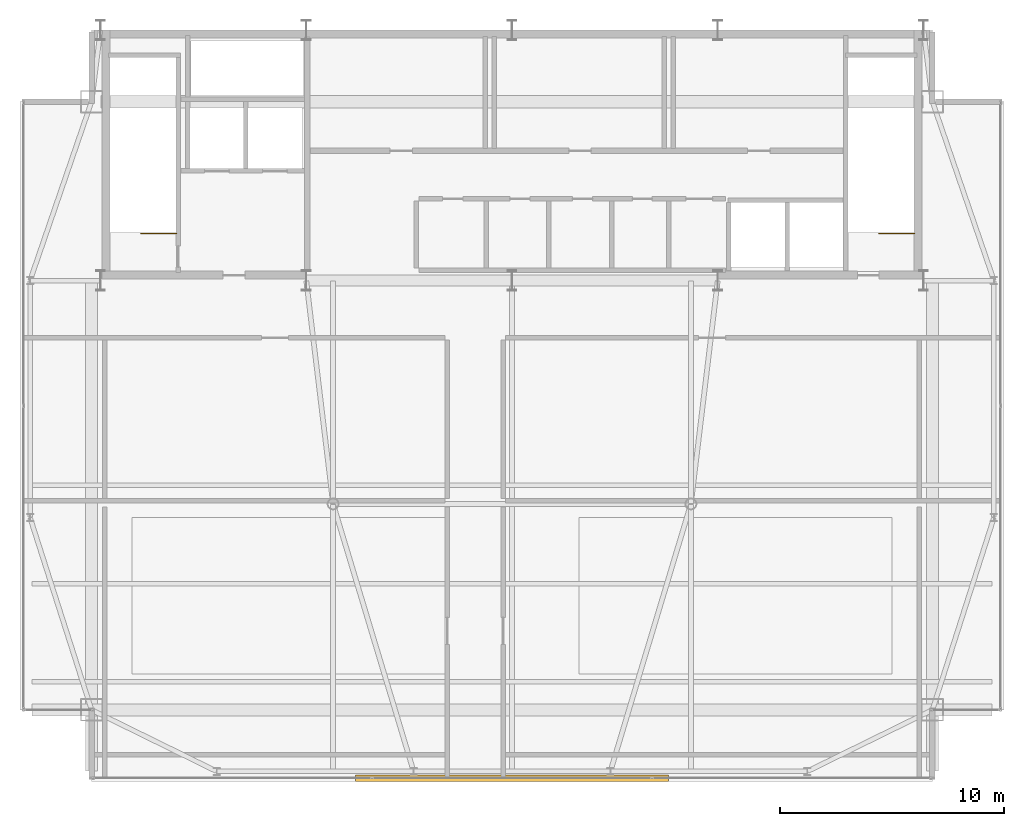
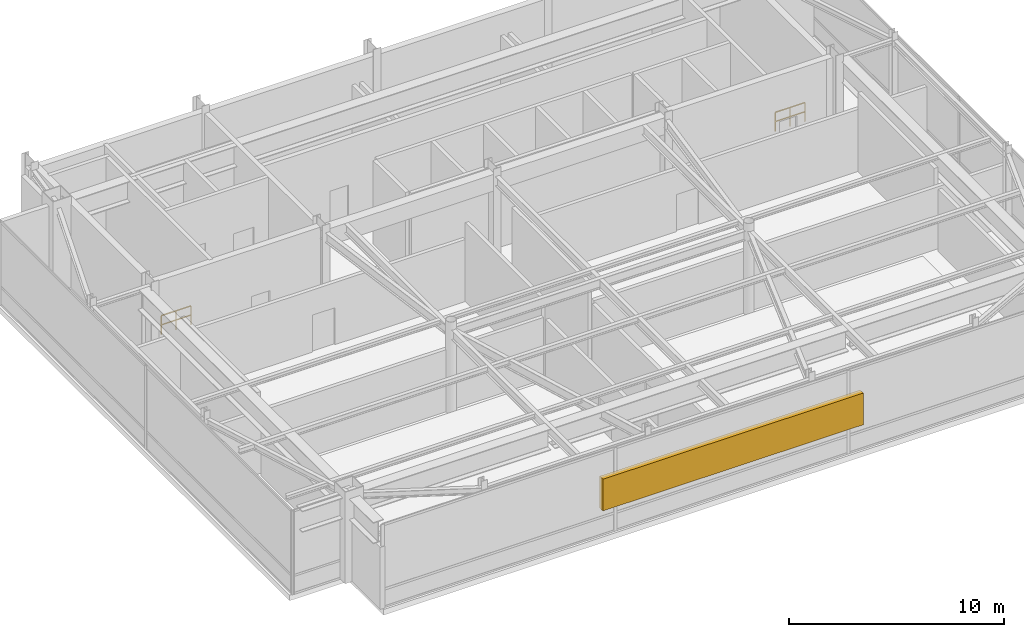
# One storey, part 20 of 20: 2 railings, 1 shading device.
"""IFC4 building model written with IfcOpenShell, lengths in metres."""

from ifc_helpers import new_model, si_unit, direction, frame, origin, origin_2d, place, context, subcontext, project, spatial, rectangle, extrude, source, transform, mapped, material, layer, layer_set, type_object, type_shapes, element, save


model = new_model("IFC4")

# Units and contexts
model_context = context("Model", 3, precision=1e-05, world=origin(), true_north=direction((0.0, 1.0)))
body_context = subcontext(model_context, "Body", "Model", "MODEL_VIEW")
ifc_project = project(units=[si_unit("LENGTHUNIT", "METRE"), si_unit("AREAUNIT", "SQUARE_METRE"), si_unit("VOLUMEUNIT", "CUBIC_METRE"), si_unit("PLANEANGLEUNIT", "RADIAN"), si_unit("MASSUNIT", "GRAM", prefix="KILO")], contexts=[model_context])

# Site, building, storey
site_placement = place(None, origin())
site = spatial("IfcSite", under=ifc_project, at=site_placement, CompositionType="ELEMENT")
building_placement = place(site_placement, origin())
building = spatial("IfcBuilding", under=site, at=building_placement, Name="Varnel Quay Broadcast Tower", CompositionType="ELEMENT")
storey_placement = place(building_placement, frame((0.0, 0.0, 314.60009765625)))
storey = spatial("IfcBuildingStorey", under=building, at=storey_placement, Name="L78", CompositionType="ELEMENT", Elevation=314.60009765625)

# Railings
ifc_material_1 = material(Name="Painted Steel Guard and Handrail CSA G40.21 350W", Category="steel")
railing_type = type_object("IfcRailingType", Name="Rail_StairGuard1100", PredefinedType="GUARDRAIL", material=ifc_material_1)
for number, where, name in (
    (1, (19.0, 37.699951171875, 0.0), "L78 ST-01 top well guard 1"),
    (2, (52.0, 37.699951171875, 0.0), "L78 ST-02 top well guard 1"),
):
    element("IfcRailing", number, at=place(storey_placement, frame(where)), inside=storey, type_object=railing_type, Name=name, PredefinedType="GUARDRAIL", context=body_context, shape_type="SweptSolid", body=[
        extrude(rectangle(XDim=0.048095703125, YDim=0.048095703125, at=origin_2d()), frame((0.0, 0.0, 1.076171875), z_axis=(-1.0, 0.0, 0.0), x_axis=(0.0, -1.0, 0.0)), (0.0, 0.0, 1.0), 1.60009765625),
        extrude(rectangle(XDim=0.048095703125, YDim=0.048095703125, at=origin_2d()), frame((0.0, 0.0, 0.550048828125), z_axis=(-1.0, 0.0, 0.0), x_axis=(0.0, -1.0, 0.0)), (0.0, 0.0, 1.0), 1.60009765625),
        extrude(rectangle(XDim=0.0419921875, YDim=0.0419921875, at=origin_2d()), origin(), (0.0, 0.0, 1.0), 1.052001953125),
        extrude(rectangle(XDim=0.0419921875, YDim=0.0419921875, at=origin_2d()), frame((-0.800048828125, 0.0, 0.0)), (0.0, 0.0, 1.0), 1.052001953125),
        extrude(rectangle(XDim=0.0419921875, YDim=0.0419921875, at=origin_2d()), frame((-1.60009765625, 0.0, 0.0)), (0.0, 0.0, 1.0), 1.052001953125),
    ])

# Shading device
ifc_material_2 = material(Name="Anodised Bronze Aluminium 6063-T6", Category="aluminium")
ifc_layer = layer(ifc_material_2, 0.080078125, Name="Anodised Bronze Aluminium 6063-T6")
ifc_layer_set = layer_set([ifc_layer], Name="Anodised Bronze Aluminium 6063-T6")
shading_device_type = type_object("IfcShadingDeviceType", Name="Shade_PlantLouvre", PredefinedType="SHUTTER", material=ifc_layer_set)
shared_shape = source(origin(), body_context, "Body", "SweptSolid", [
    extrude(rectangle(XDim=14.0, YDim=0.300048828125, at=origin_2d()), origin(), (0.0, 0.0, 1.0), 1.800048828125),
])
type_shapes(shading_device_type, [shared_shape])
shading_device_placement = place(storey_placement, frame((34.0, 13.35009765625, 1.47509765625), z_axis=(0.0, 0.0, 1.0), x_axis=(1.0, 0.0, 0.0)))
element("IfcShadingDevice", 3, at=shading_device_placement, inside=storey, type_object=shading_device_type, Name="L78 Mechanical Acoustic Louvre", PredefinedType="SHUTTER", context=body_context, shape_type="MappedRepresentation", body=[
    mapped(shared_shape, transform((0.0, 0.0, 0.0), x_axis=(1.0, 0.0, 0.0), y_axis=(0.0, 1.0, 0.0), z_axis=(0.0, 0.0, 1.0), scale=1.0)),
])

save(model, "model.ifc")
